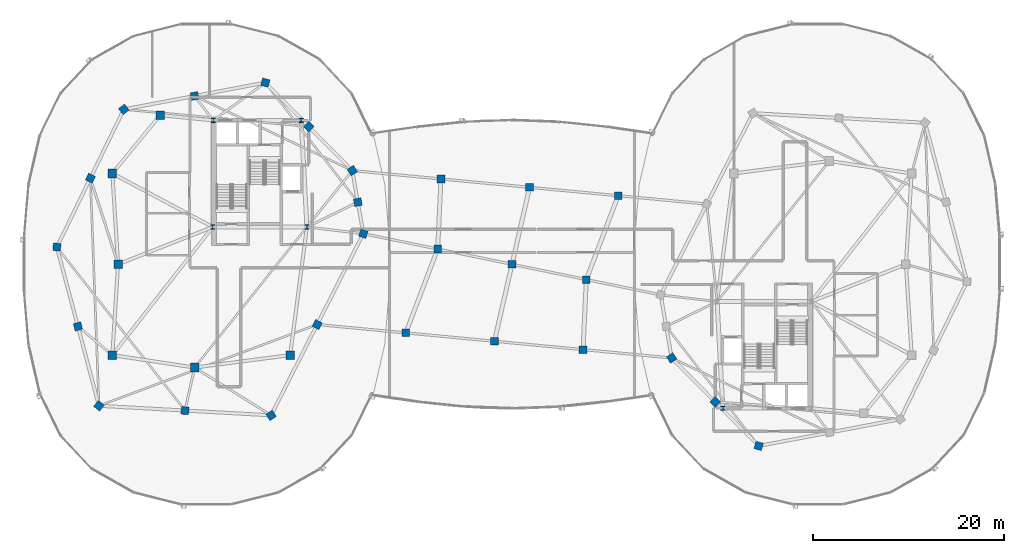
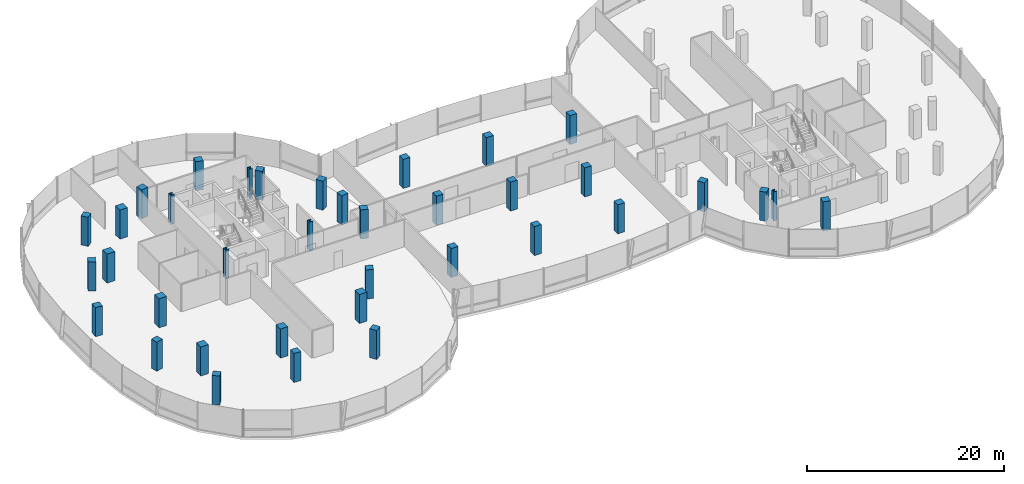
# One storey, part 1 of 24: 37 columns.
"""IFC4 building model written with IfcOpenShell, lengths in metres."""

from ifc_helpers import new_model, si_unit, direction, frame, origin, origin_2d, place, context, subcontext, project, spatial, rectangle, i_section, extrude, material, material_profile, profile_set, type_object, element, save


model = new_model("IFC4")

# Units and contexts
model_context = context("Model", 3, precision=1e-05, world=origin(), true_north=direction((0.0, 1.0)))
body_context = subcontext(model_context, "Body", "Model", "MODEL_VIEW")
ifc_project = project(units=[si_unit("LENGTHUNIT", "METRE"), si_unit("AREAUNIT", "SQUARE_METRE"), si_unit("VOLUMEUNIT", "CUBIC_METRE"), si_unit("PLANEANGLEUNIT", "RADIAN"), si_unit("MASSUNIT", "GRAM", prefix="KILO"), si_unit("THERMODYNAMICTEMPERATUREUNIT", "KELVIN"), si_unit("POWERUNIT", "WATT")], contexts=[model_context])

# Site, building, storey
site_placement = place(None, origin())
site = spatial("IfcSite", under=ifc_project, at=site_placement, CompositionType="ELEMENT")
building_placement = place(site_placement, origin())
building = spatial("IfcBuilding", under=site, at=building_placement, Name="Cundina Bronze Exchange", CompositionType="ELEMENT")
storey_placement = place(building_placement, frame((0.0, 0.0, 268.39990234375)))
storey = spatial("IfcBuildingStorey", under=building, at=storey_placement, Name="L71", CompositionType="ELEMENT", Elevation=268.39990234375)

# Columns
ifc_material_1 = material(Name="Concrete C50/60", Category="concrete")
ifc_material_profile_1 = material_profile(ifc_material_1, rectangle(XDim=0.800048828125, YDim=0.800048828125, at=origin_2d()), Name="RC800X800", Category="concrete")
ifc_profile_set_1 = profile_set([ifc_material_profile_1], Name="Concrete C50/60")
column_type_1 = type_object("IfcColumnType", Name="COL-BRG-800", PredefinedType="COLUMN", material=ifc_profile_set_1)
for number, where, z_axis, x_axis, name in (
    (1, (-15.550048828125, 3.199951171875, 0.0), (0.0, 0.0, 1.0), (0.315152163383, 0.949041155016, 0.0), "L71 W Perimeter Column 00"),
    (2, (-16.125, 6.5, 0.0), (0.0, 0.0, 1.0), (-0.171585221787, 0.985169280715, 0.0), "L71 W Perimeter Column 01"),
    (3, (-16.699951171875, 9.800048828125, 0.0), (0.0, 0.0, 1.0), (-0.544199833495, 0.838955625301, 0.0), "L71 W Perimeter Column 02"),
    (4, (-21.25, 14.39990234375, 0.0), (0.0, 0.0, 1.0), (-0.703270634186, 0.710922228581, 0.0), "L71 W Perimeter Column 03"),
    (5, (-25.800048828125, 19.0, 0.0), (0.0, 0.0, 1.0), (-0.965970984022, 0.258650455301, 0.0), "L71 W Perimeter Column 04"),
    (6, (-33.199951171875, 17.60009765625, 0.0), (0.0, 0.0, 1.0), (-0.98258037664, -0.185838110843, 0.0), "L71 W Perimeter Column 05"),
    (7, (-40.60009765625, 16.199951171875, 0.0), (0.0, 0.0, 1.0), (-0.785100778485, -0.619368038909, 0.0), "L71 W Perimeter Column 06"),
    (8, (-44.10009765625, 9.0, 0.0), (0.0, 0.0, 1.0), (-0.437115766651, -0.899405251566, 0.0), "L71 W Perimeter Column 07"),
    (9, (-47.60009765625, 1.800048828125, 0.0), (0.0, 0.0, 1.0), (-0.083503921245, -0.996507448611, 0.0), "L71 W Perimeter Column 08"),
    (10, (-45.39990234375, -6.5, 0.0), (0.0, 0.0, 1.0), (0.256289373133, -0.966600102017, 0.0), "L71 W Perimeter Column 09"),
    (11, (-43.199951171875, -14.800048828125, 0.0), (0.0, 0.0, 1.0), (0.786288432137, -0.61785961309, 0.0), "L71 W Perimeter Column 10"),
    (12, (-34.199951171875, -15.300048828125, 0.0), (0.0, 0.0, 1.0), (0.998460188734, -0.055472980025, 0.0), "L71 W Perimeter Column 11"),
    (13, (-25.199951171875, -15.800048828125, 0.0), (0.0, 0.0, 1.0), (0.838099763533, 0.545516989988, 0.0), "L71 W Perimeter Column 12"),
    (14, (-20.375, -6.300048828125, 0.0), (0.0, 0.0, 1.0), (0.452901591366, 0.891560513111, 0.0), "L71 W Perimeter Column 13"),
    (15, (16.699951171875, -9.800048828125, 0.0), (0.0, 0.0, 1.0), (0.544199833495, -0.838955625301, 0.0), "L71 E Perimeter Column 02"),
    (16, (21.25, -14.39990234375, 0.0), (0.0, 0.0, 1.0), (0.703270634186, -0.710922228581, 0.0), "L71 E Perimeter Column 03"),
    (17, (25.800048828125, -19.0, 0.0), (0.0, 0.0, 1.0), (0.965970984022, -0.258650455301, 0.0), "L71 E Perimeter Column 04"),
    (18, (-11.106201171875, -7.175048828125, 0.0), (0.0, 0.0, 1.0), (1.0, 0.0, 0.0), "L71 Sky-Gate Bridge Column Y1-X1"),
    (19, (-1.83740234375, -8.050048828125, 0.0), (0.0, 0.0, 1.0), (1.0, 0.0, 0.0), "L71 Sky-Gate Bridge Column Y1-X2"),
    (20, (7.431396484375, -8.925048828125, 0.0), (0.0, 0.0, 1.0), (1.0, 0.0, 0.0), "L71 Sky-Gate Bridge Column Y1-X3"),
    (21, (-7.77490234375, 1.60009765625, 0.0), (0.0, 0.0, 1.0), (1.0, 0.0, 0.0), "L71 Sky-Gate Bridge Column Y2-X1"),
    (22, (0.0, 0.0, 0.0), (0.0, 0.0, 1.0), (1.0, 0.0, 0.0), "L71 Sky-Gate Bridge Column Y2-X2"),
    (23, (7.77490234375, -1.60009765625, 0.0), (0.0, 0.0, 1.0), (1.0, 0.0, 0.0), "L71 Sky-Gate Bridge Column Y2-X3"),
    (24, (-7.43115234375, 8.925048828125, 0.0), (0.0, 0.0, 1.0), (1.0, 0.0, 0.0), "L71 Sky-Gate Bridge Column Y3-X1"),
    (25, (1.83740234375, 8.050048828125, 0.0), (0.0, 0.0, 1.0), (1.0, 0.0, 0.0), "L71 Sky-Gate Bridge Column Y3-X2"),
    (26, (11.106201171875, 7.175048828125, 0.0), (0.0, 0.0, 1.0), (1.0, 0.0, 0.0), "L71 Sky-Gate Bridge Column Y3-X3"),
):
    element("IfcColumn", number, at=place(storey_placement, frame(where, z_axis=z_axis, x_axis=x_axis)), inside=storey, type_object=column_type_1, Name=name, PredefinedType="COLUMN", context=body_context, shape_type="SweptSolid", body=[
        extrude(rectangle(XDim=0.800048828125, YDim=0.800048828125, at=origin_2d()), origin(), (0.0, 0.0, 1.0), 3.60009765625),
    ])
ifc_material_2 = material(Name="Steel ASTM A992 Grade 50", Category="steel")
ifc_material_profile_2 = material_profile(ifc_material_2, i_section(OverallWidth=0.416015625, OverallDepth=0.446044921875, WebThickness=0.0390625, FlangeThickness=0.062744140625, FilletRadius=0.01806640625, at=origin_2d()), Name="W14X342", Category="steel")
ifc_profile_set_2 = profile_set([ifc_material_profile_2], Name="Steel ASTM A992 Grade 50")
column_type_2 = type_object("IfcColumnType", Name="COL-STL-W14B", PredefinedType="COLUMN", material=ifc_profile_set_2)
for number, where, z_axis, x_axis, name in (
    (27, (-31.300048828125, 3.89990234375, 0.0), (0.0, 0.0, 1.0), (1.0, 0.0, 0.0), "L71 Core Anchor Column W1"),
    (28, (-21.449951171875, 3.89990234375, 0.0), (0.0, 0.0, 1.0), (1.0, 0.0, 0.0), "L71 Core Anchor Column W2"),
    (29, (-22.050048828125, 15.050048828125, 0.0), (0.0, 0.0, 1.0), (1.0, 0.0, 0.0), "L71 Core Anchor Column W3"),
    (30, (-31.25, 15.050048828125, 0.0), (0.0, 0.0, 1.0), (1.0, 0.0, 0.0), "L71 Core Anchor Column W4"),
    (31, (22.050048828125, -15.050048828125, 0.0), (0.0, 0.0, 1.0), (1.0, 0.0, 0.0), "L71 Core Anchor Column E3"),
):
    element("IfcColumn", number, at=place(storey_placement, frame(where, z_axis=z_axis, x_axis=x_axis)), inside=storey, type_object=column_type_2, Name=name, PredefinedType="COLUMN", context=body_context, shape_type="SweptSolid", body=[
        extrude(i_section(OverallWidth=0.416015625, OverallDepth=0.446044921875, WebThickness=0.0390625, FlangeThickness=0.062744140625, FilletRadius=0.01806640625, at=origin_2d()), origin(), (0.0, 0.0, 1.0), 3.60009765625),
    ])
ifc_material_profile_3 = material_profile(ifc_material_1, rectangle(XDim=0.89990234375, YDim=0.89990234375, at=origin_2d()), Name="RC900X900", Category="concrete")
ifc_profile_set_3 = profile_set([ifc_material_profile_3], Name="Concrete C50/60")
column_type_3 = type_object("IfcColumnType", Name="COL-Z4-900", PredefinedType="COLUMN", material=ifc_profile_set_3)
for number, where, z_axis, x_axis, name in (
    (32, (-41.199951171875, 0.0, 0.0), (0.0, 0.0, 1.0), (1.0, 0.0, 0.0), "L71 W Inner Ring Column 1"),
    (33, (-41.800048828125, 9.5, 0.0), (0.0, 0.0, 1.0), (1.0, 0.0, 0.0), "L71 W Inner Ring Column 2"),
    (34, (-36.800048828125, 15.60009765625, 0.0), (0.0, 0.0, 1.0), (1.0, 0.0, 0.0), "L71 W Inner Ring Column 3"),
    (35, (-41.800048828125, -9.5, 0.0), (0.0, 0.0, 1.0), (1.0, 0.0, 0.0), "L71 W Inner Ring Column 4"),
    (36, (-33.199951171875, -10.800048828125, 0.0), (0.0, 0.0, 1.0), (1.0, 0.0, 0.0), "L71 W Inner Ring Column 5"),
    (37, (-23.199951171875, -9.5, 0.0), (0.0, 0.0, 1.0), (1.0, 0.0, 0.0), "L71 W Inner Ring Column 6"),
):
    element("IfcColumn", number, at=place(storey_placement, frame(where, z_axis=z_axis, x_axis=x_axis)), inside=storey, type_object=column_type_3, Name=name, PredefinedType="COLUMN", context=body_context, shape_type="SweptSolid", body=[
        extrude(rectangle(XDim=0.89990234375, YDim=0.89990234375, at=origin_2d()), origin(), (0.0, 0.0, 1.0), 3.60009765625),
    ])

save(model, "model.ifc")
